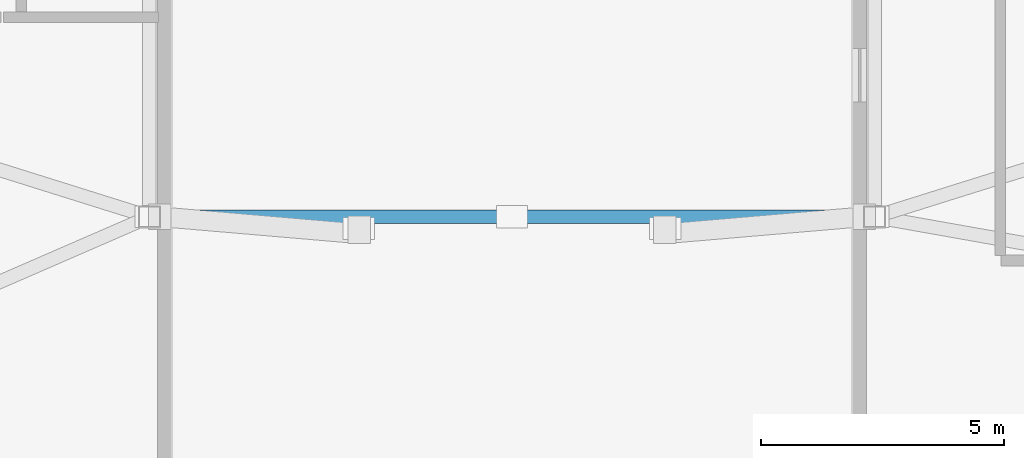
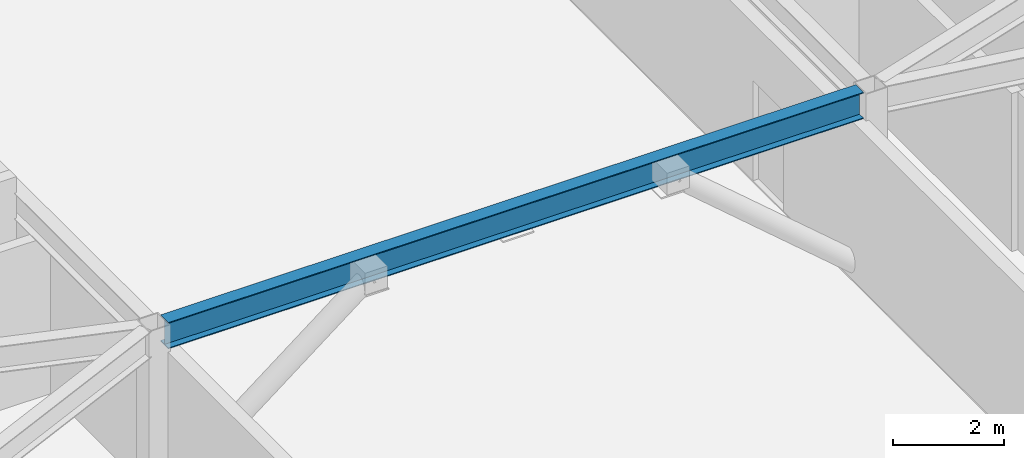
# One storey, part 4 of 17: 1 beam.
"""IFC4 building model written with IfcOpenShell, lengths in metres."""

from ifc_helpers import new_model, si_unit, direction, frame, origin, origin_2d, place, context, subcontext, project, spatial, i_section, extrude, material, material_profile, profile_set, type_object, element, save


model = new_model("IFC4")

# Units and contexts
model_context = context("Model", 3, precision=1e-05, world=origin(), true_north=direction((0.0, 1.0)))
body_context = subcontext(model_context, "Body", "Model", "MODEL_VIEW")
ifc_project = project(units=[si_unit("LENGTHUNIT", "METRE"), si_unit("AREAUNIT", "SQUARE_METRE"), si_unit("VOLUMEUNIT", "CUBIC_METRE"), si_unit("PLANEANGLEUNIT", "RADIAN"), si_unit("MASSUNIT", "GRAM", prefix="KILO")], contexts=[model_context])

# Site, building, storey
site_placement = place(None, origin())
site = spatial("IfcSite", under=ifc_project, at=site_placement, CompositionType="ELEMENT")
building_placement = place(site_placement, origin())
building = spatial("IfcBuilding", under=site, at=building_placement, Name="Zuhravey Tower", CompositionType="ELEMENT")
storey_placement = place(building_placement, frame((0.0, 0.0, 361.39990234375)))
storey = spatial("IfcBuildingStorey", under=building, at=storey_placement, Name="L92", CompositionType="ELEMENT", Elevation=361.39990234375)

# Beam
ifc_material = material(Name="Steel SM355", Category="steel")
ifc_material_profile = material_profile(ifc_material, i_section(OverallWidth=0.280029296875, OverallDepth=0.580078125, WebThickness=0.011962890625, FlangeThickness=0.01904296875, at=origin_2d()), Name="H-580x280x12x19")
ifc_profile_set = profile_set([ifc_material_profile], Name="Steel SM355")
beam_type = type_object("IfcBeamType", Name="Perimeter Ring Beam H580x280", PredefinedType="BEAM", material=ifc_profile_set)
beam_placement = place(storey_placement, frame((28.780029296875, 18.0, 3.755126953125), z_axis=(1.0, 0.0, 0.0), x_axis=(0.0, 1.0, 0.0)))
element("IfcBeam", 1, at=beam_placement, inside=storey, type_object=beam_type, Name="L92 Wind-Portal Tie Girder PB4-1", PredefinedType="BEAM", context=body_context, shape_type="SweptSolid", body=[
    extrude(i_section(OverallWidth=0.280029296875, OverallDepth=0.580078125, WebThickness=0.011962890625, FlangeThickness=0.01904296875, at=origin_2d()), origin(), (0.0, 0.0, 1.0), 14.43994140625),
])

save(model, "model.ifc")
